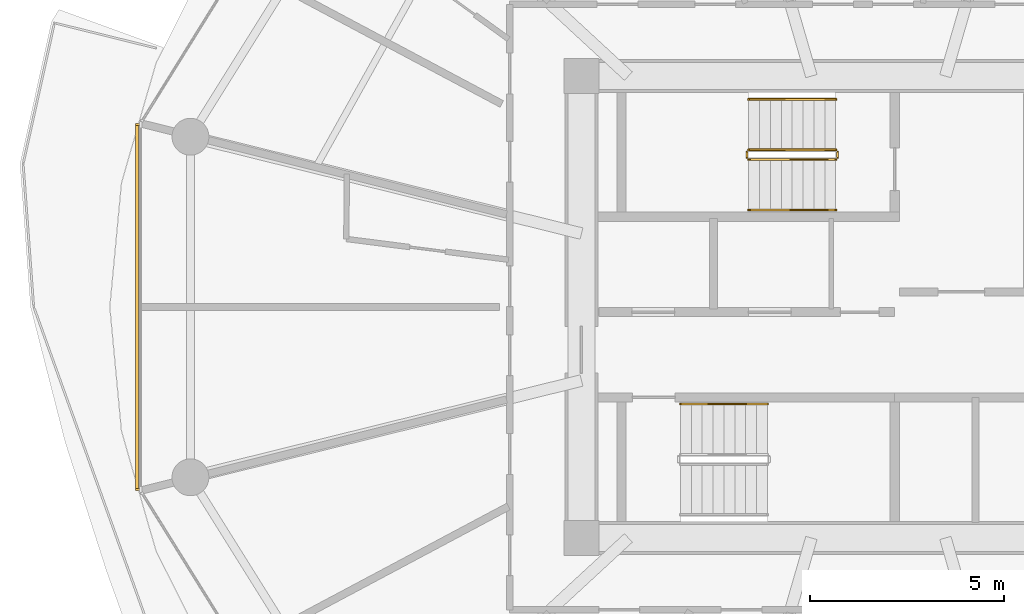
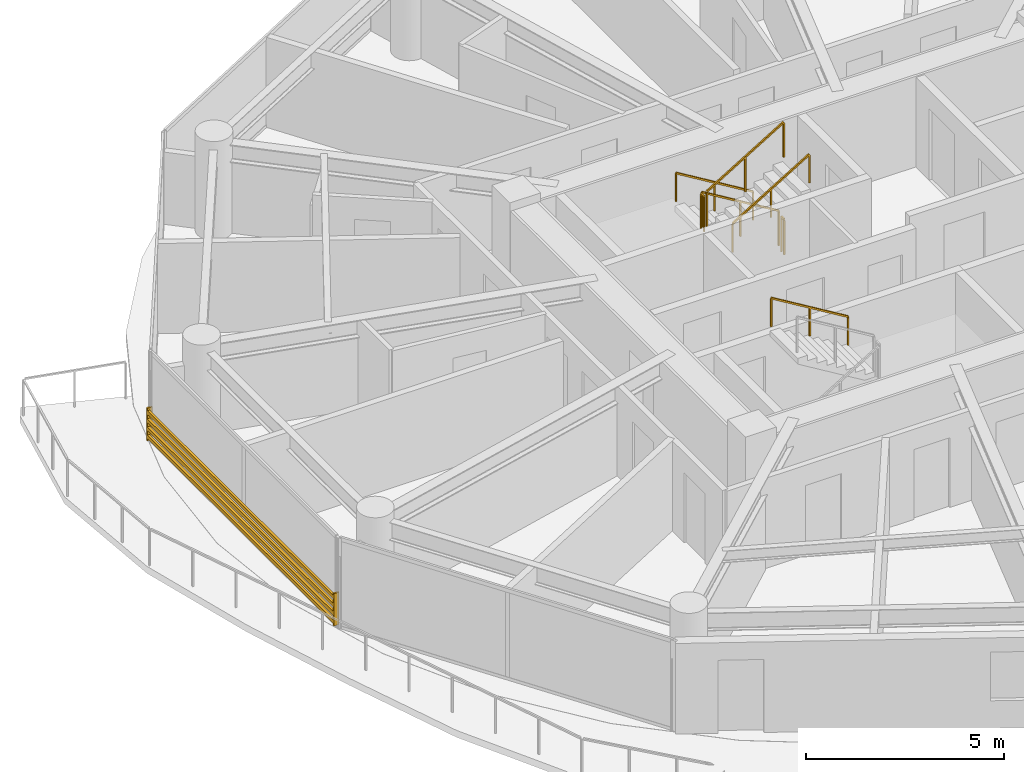
# One storey, part 25 of 28: 7 railings, 1 shading device.
"""IFC4 building model written with IfcOpenShell, lengths in metres."""

from ifc_helpers import new_model, si_unit, direction, frame, origin, origin_2d, place, context, subcontext, project, spatial, rectangle, extrude, source, transform, mapped, material, type_object, type_shapes, element, save


model = new_model("IFC4")

# Units and contexts
model_context = context("Model", 3, precision=1e-05, world=origin(), true_north=direction((0.0, 1.0)))
body_context = subcontext(model_context, "Body", "Model", "MODEL_VIEW")
ifc_project = project(units=[si_unit("LENGTHUNIT", "METRE"), si_unit("AREAUNIT", "SQUARE_METRE"), si_unit("VOLUMEUNIT", "CUBIC_METRE"), si_unit("PLANEANGLEUNIT", "RADIAN"), si_unit("MASSUNIT", "GRAM", prefix="KILO")], contexts=[model_context])

# Site, building, storey
site_placement = place(None, origin())
site = spatial("IfcSite", under=ifc_project, at=site_placement, CompositionType="ELEMENT")
building_placement = place(site_placement, origin())
building = spatial("IfcBuilding", under=site, at=building_placement, Name="Norrkilde Senior Care Towers", CompositionType="ELEMENT")
storey_placement = place(building_placement, frame((0.0, 0.0, 39.89990234375)))
storey = spatial("IfcBuildingStorey", under=building, at=storey_placement, Name="L11", CompositionType="ELEMENT", Elevation=39.89990234375)

# Railings
ifc_material_1 = material(Name="Stainless Steel", Category="steel")
railing_type_1 = type_object("IfcRailingType", Name="Stair and Terrace Guardrail 1100", PredefinedType="GUARDRAIL", material=ifc_material_1)
railing_1_placement = place(storey_placement, frame((-29.10009765625, 4.050048828125, 0.16943359375)))
element("IfcRailing", 1, at=railing_1_placement, inside=storey, type_object=railing_type_1, Name="L11 ST-W1 stair guard 1", PredefinedType="GUARDRAIL", context=body_context, shape_type="SweptSolid", body=[
    extrude(rectangle(XDim=0.048095703125, YDim=0.048095703125, at=origin_2d()), frame((0.0, 0.0, 1.076171875), z_axis=(-0.855512035549, 0.0, 0.517782924622), x_axis=(0.0, -1.0, 0.0)), (0.0, 0.0, 1.0), 2.618408203125),
    extrude(rectangle(XDim=0.0419921875, YDim=0.0419921875, at=origin_2d()), origin(), (0.0, 0.0, 1.0), 1.050048828125),
    extrude(rectangle(XDim=0.0419921875, YDim=0.0419921875, at=origin_2d()), frame((-1.1201171875, 0.0, 0.677734375)), (0.0, 0.0, 1.0), 1.050048828125),
    extrude(rectangle(XDim=0.0419921875, YDim=0.0419921875, at=origin_2d()), frame((-2.239990234375, 0.0, 1.355712890625)), (0.0, 0.0, 1.0), 1.050048828125),
])
railing_2_placement = place(storey_placement, frame((-31.389892578125, 4.0, 1.525146484375)))
element("IfcRailing", 2, at=railing_2_placement, inside=storey, type_object=railing_type_1, Name="L11 ST-W1 stair guard 2", PredefinedType="GUARDRAIL", context=body_context, shape_type="SweptSolid", body=[
    extrude(rectangle(XDim=0.048095703125, YDim=0.048095703125, at=origin_2d()), frame((0.0, 0.0, 1.076171875), z_axis=(0.0, -1.0, 0.0), x_axis=(1.0, 0.0, 0.0)), (0.0, 0.0, 1.0), 0.14990234375),
    extrude(rectangle(XDim=0.0419921875, YDim=0.0419921875, at=origin_2d()), origin(), (0.0, 0.0, 1.0), 1.050048828125),
    extrude(rectangle(XDim=0.0419921875, YDim=0.0419921875, at=origin_2d()), frame((0.0, -0.14990234375, 0.0)), (0.0, 0.0, 1.0), 1.050048828125),
])
railing_3_placement = place(storey_placement, frame((-31.340087890625, 3.800048828125, 1.694580078125)))
element("IfcRailing", 3, at=railing_3_placement, inside=storey, type_object=railing_type_1, Name="L11 ST-W1 stair guard 3", PredefinedType="GUARDRAIL", context=body_context, shape_type="SweptSolid", body=[
    extrude(rectangle(XDim=0.048095703125, YDim=0.048095703125, at=origin_2d()), frame((0.0, 0.0, 1.076171875), z_axis=(0.855553338991, 0.0, 0.51771467445), x_axis=(0.0, 1.0, 0.0)), (0.0, 0.0, 1.0), 2.6181640625),
    extrude(rectangle(XDim=0.0419921875, YDim=0.0419921875, at=origin_2d()), origin(), (0.0, 0.0, 1.0), 1.050048828125),
    extrude(rectangle(XDim=0.0419921875, YDim=0.0419921875, at=origin_2d()), frame((1.1201171875, 0.0, 0.677734375)), (0.0, 0.0, 1.0), 1.050048828125),
    extrude(rectangle(XDim=0.0419921875, YDim=0.0419921875, at=origin_2d()), frame((2.239990234375, 0.0, 1.35546875)), (0.0, 0.0, 1.0), 1.050048828125),
])
railing_4_placement = place(storey_placement, frame((-29.050048828125, 4.0, 0.0)))
element("IfcRailing", 4, at=railing_4_placement, inside=storey, type_object=railing_type_1, Name="L11 ST-W1 stair guard 4", PredefinedType="GUARDRAIL", context=body_context, shape_type="SweptSolid", body=[
    extrude(rectangle(XDim=0.048095703125, YDim=0.048095703125, at=origin_2d()), frame((0.0, 0.0, 1.076171875), z_axis=(0.0, -1.0, 0.0), x_axis=(1.0, 0.0, 0.0)), (0.0, 0.0, 1.0), 0.14990234375),
    extrude(rectangle(XDim=0.0419921875, YDim=0.0419921875, at=origin_2d()), origin(), (0.0, 0.0, 1.0), 1.050048828125),
    extrude(rectangle(XDim=0.0419921875, YDim=0.0419921875, at=origin_2d()), frame((0.0, -0.14990234375, 0.0)), (0.0, 0.0, 1.0), 1.050048828125),
])
ifc_material_2 = material(Name="Nordic Ash Timber", Category="wood")
railing_type_2 = type_object("IfcRailingType", Name="Wall and Stair Handrail 900", PredefinedType="HANDRAIL", material=ifc_material_2)
railing_5_placement = place(storey_placement, frame((-29.10009765625, 5.35009765625, 0.16943359375)))
element("IfcRailing", 5, at=railing_5_placement, inside=storey, type_object=railing_type_2, Name="L11 ST-W1 stair handrail 1", PredefinedType="HANDRAIL", context=body_context, shape_type="SweptSolid", body=[
    extrude(rectangle(XDim=0.048095703125, YDim=0.048095703125, at=origin_2d()), frame((0.0, 0.0, 0.8759765625), z_axis=(-0.855512035549, 0.0, 0.517782924622), x_axis=(0.0, -1.0, 0.0)), (0.0, 0.0, 1.0), 2.618408203125),
    extrude(rectangle(XDim=0.0419921875, YDim=0.0419921875, at=origin_2d()), origin(), (0.0, 0.0, 1.0), 0.849853515625),
    extrude(rectangle(XDim=0.0419921875, YDim=0.0419921875, at=origin_2d()), frame((-1.1201171875, 0.0, 0.677734375)), (0.0, 0.0, 1.0), 0.849853515625),
    extrude(rectangle(XDim=0.0419921875, YDim=0.0419921875, at=origin_2d()), frame((-2.239990234375, 0.0, 1.355712890625)), (0.0, 0.0, 1.0), 0.849853515625),
])
railing_6_placement = place(storey_placement, frame((-31.340087890625, 2.5, 1.694580078125)))
element("IfcRailing", 6, at=railing_6_placement, inside=storey, type_object=railing_type_2, Name="L11 ST-W1 stair handrail 2", PredefinedType="HANDRAIL", context=body_context, shape_type="SweptSolid", body=[
    extrude(rectangle(XDim=0.048095703125, YDim=0.048095703125, at=origin_2d()), frame((0.0, 0.0, 0.8759765625), z_axis=(0.855553338991, 0.0, 0.51771467445), x_axis=(0.0, 1.0, 0.0)), (0.0, 0.0, 1.0), 2.6181640625),
    extrude(rectangle(XDim=0.0419921875, YDim=0.0419921875, at=origin_2d()), origin(), (0.0, 0.0, 1.0), 0.849853515625),
    extrude(rectangle(XDim=0.0419921875, YDim=0.0419921875, at=origin_2d()), frame((1.1201171875, 0.0, 0.677734375)), (0.0, 0.0, 1.0), 0.849853515625),
    extrude(rectangle(XDim=0.0419921875, YDim=0.0419921875, at=origin_2d()), frame((2.239990234375, 0.0, 1.35546875)), (0.0, 0.0, 1.0), 0.849853515625),
])
railing_7_placement = place(storey_placement, frame((-30.860107421875, -2.5, 1.694580078125)))
element("IfcRailing", 7, at=railing_7_placement, inside=storey, type_object=railing_type_2, Name="L11 ST-W2 stair handrail 2", PredefinedType="HANDRAIL", context=body_context, shape_type="SweptSolid", body=[
    extrude(rectangle(XDim=0.048095703125, YDim=0.048095703125, at=origin_2d()), frame((0.0, 0.0, 0.8759765625), z_axis=(-0.855553338991, 0.0, 0.51771467445), x_axis=(0.0, -1.0, 0.0)), (0.0, 0.0, 1.0), 2.6181640625),
    extrude(rectangle(XDim=0.0419921875, YDim=0.0419921875, at=origin_2d()), origin(), (0.0, 0.0, 1.0), 0.849853515625),
    extrude(rectangle(XDim=0.0419921875, YDim=0.0419921875, at=origin_2d()), frame((-1.1201171875, 0.0, 0.677734375)), (0.0, 0.0, 1.0), 0.849853515625),
    extrude(rectangle(XDim=0.0419921875, YDim=0.0419921875, at=origin_2d()), frame((-2.239990234375, 0.0, 1.35546875)), (0.0, 0.0, 1.0), 0.849853515625),
])

# Shading device
ifc_material_3 = material(Name="Architectural Terracotta", Category="masonry")
shading_device_type = type_object("IfcShadingDeviceType", Name="Horizontal Terracotta Baguette Rack", PredefinedType="USERDEFINED", material=ifc_material_3)
shared_shape = source(origin(), body_context, "Body", "SweptSolid", [
    extrude(rectangle(XDim=0.070068359375, YDim=0.110107421875, at=origin_2d()), frame((0.0, 0.090087890625, 0.125), z_axis=(1.0, 0.0, 0.0), x_axis=(0.0, 1.0, 0.0)), (0.0, 0.0, 1.0), 9.46240234375),
    extrude(rectangle(XDim=0.070068359375, YDim=0.110107421875, at=origin_2d()), frame((0.0, 0.090087890625, 0.375), z_axis=(1.0, 0.0, 0.0), x_axis=(0.0, 1.0, 0.0)), (0.0, 0.0, 1.0), 9.46240234375),
    extrude(rectangle(XDim=0.070068359375, YDim=0.110107421875, at=origin_2d()), frame((0.0, 0.090087890625, 0.625), z_axis=(1.0, 0.0, 0.0), x_axis=(0.0, 1.0, 0.0)), (0.0, 0.0, 1.0), 9.46240234375),
    extrude(rectangle(XDim=0.070068359375, YDim=0.110107421875, at=origin_2d()), frame((0.0, 0.090087890625, 0.875), z_axis=(1.0, 0.0, 0.0), x_axis=(0.0, 1.0, 0.0)), (0.0, 0.0, 1.0), 9.46240234375),
    extrude(rectangle(XDim=0.050048828125, YDim=0.1552734375, at=origin_2d()), frame((0.02490234375, 0.047607421875, 0.0)), (0.0, 0.0, 1.0), 1.0),
    extrude(rectangle(XDim=0.050048828125, YDim=0.1552734375, at=origin_2d()), frame((9.4375, 0.047607421875, 0.0)), (0.0, 0.0, 1.0), 1.0),
])
type_shapes(shading_device_type, [shared_shape])
shading_device_placement = place(storey_placement, frame((-47.009521484375, -4.731201171875, 0.080078125), z_axis=(0.0, 0.0, 1.0), x_axis=(0.0, 1.0, 0.0)))
element("IfcShadingDevice", 8, at=shading_device_placement, inside=storey, type_object=shading_device_type, Name="L11 Drum W Terracotta Baguette Screen 05", ObjectType="BAGUETTE", PredefinedType="USERDEFINED", context=body_context, shape_type="MappedRepresentation", body=[
    mapped(shared_shape, transform((0.0, 0.0, 0.0), x_axis=(1.0, 0.0, 0.0), y_axis=(0.0, 1.0, 0.0), z_axis=(0.0, 0.0, 1.0), scale=1.0)),
])

save(model, "model.ifc")
